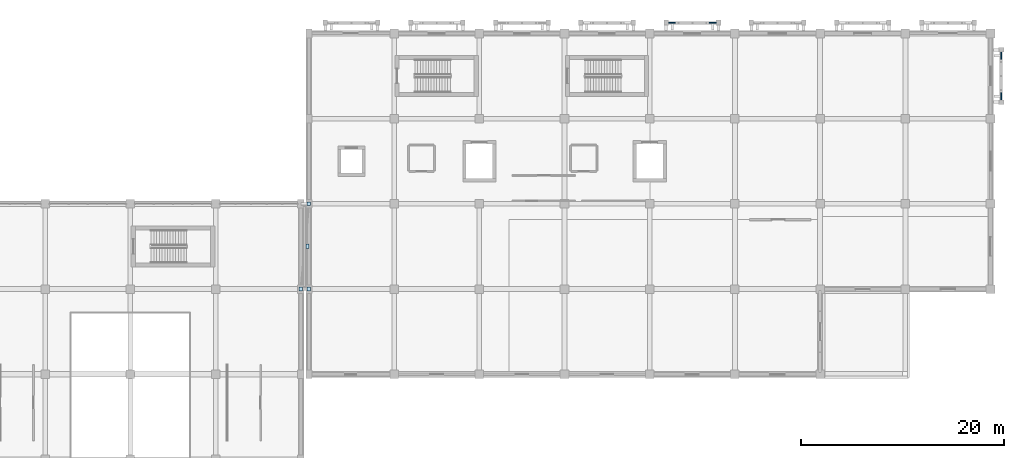
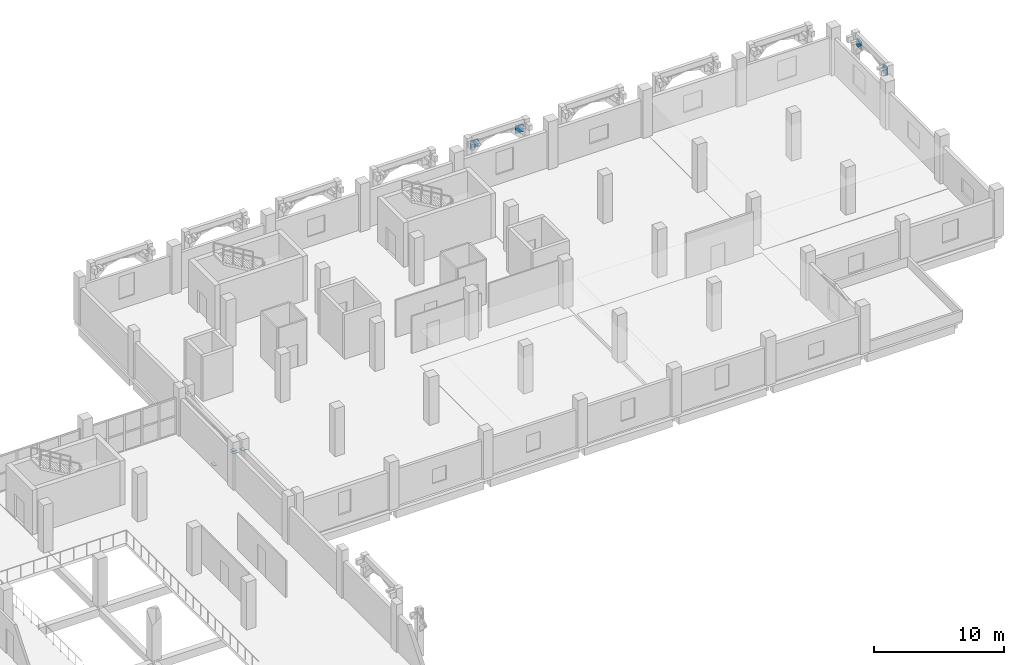
# One storey, part 111 of 137: 9 plates.
"""IFC4 building model written with IfcOpenShell, lengths in metres."""

from ifc_helpers import new_model, si_unit, direction, frame, origin, origin_2d, place, context, subcontext, project, spatial, rectangle, extrude, material, layer, layer_set, type_object, element, save


model = new_model("IFC4")

# Units and contexts
model_context = context("Model", 3, precision=1e-05, world=origin(), true_north=direction((0.0, 1.0)))
body_context = subcontext(model_context, "Body", "Model", "MODEL_VIEW")
ifc_project = project(units=[si_unit("LENGTHUNIT", "METRE"), si_unit("AREAUNIT", "SQUARE_METRE"), si_unit("VOLUMEUNIT", "CUBIC_METRE"), si_unit("PLANEANGLEUNIT", "RADIAN"), si_unit("MASSUNIT", "GRAM", prefix="KILO")], contexts=[model_context])

# Site, building, storey
site_placement = place(None, origin())
site = spatial("IfcSite", under=ifc_project, at=site_placement, CompositionType="ELEMENT")
building_placement = place(site_placement, origin())
building = spatial("IfcBuilding", under=site, at=building_placement, Name="Xazarin Passage Department Store", CompositionType="ELEMENT")
storey_placement = place(building_placement, frame((0.0, 0.0, 5.39990234375)))
storey = spatial("IfcBuildingStorey", under=building, at=storey_placement, Name="L01", CompositionType="ELEMENT", Elevation=5.39990234375)

# Plates
ifc_material_1 = material(Name="Precast concrete C40/50", Category="concrete")
ifc_layer_1 = layer(ifc_material_1, 0.10009765625)
ifc_layer_set_1 = layer_set([ifc_layer_1], Name="Precast concrete C40/50")
plate_type_1 = type_object("IfcPlateType", Name="ARC-PLT-SCR-03", PredefinedType="USERDEFINED", material=ifc_layer_set_1)
for number, where, z_axis, x_axis, name in (
    (1, (138.199951171875, 111.050048828125, 3.26025390625), (0.0, 0.0, 1.0), (1.0, 0.0, 0.0), "L01 V4 Arch Spandrel Tympanum 0323"),
    (2, (142.199951171875, 111.050048828125, 3.26025390625), (0.0, 0.0, 1.0), (1.0, 0.0, 0.0), "L01 V4 Arch Spandrel Tympanum 0324"),
):
    element("IfcPlate", number, at=place(storey_placement, frame(where, z_axis=z_axis, x_axis=x_axis)), inside=storey, type_object=plate_type_1, Name=name, ObjectType="SCREEN PANEL", PredefinedType="USERDEFINED", context=body_context, shape_type="SweptSolid", body=[
        extrude(rectangle(XDim=0.679931640625, YDim=0.10009765625, at=origin_2d()), origin(), (0.0, 0.0, 1.0), 0.719970703125),
    ])
ifc_layer_2 = layer(ifc_material_1, 0.1201171875)
ifc_layer_set_2 = layer_set([ifc_layer_2], Name="Precast concrete C40/50")
plate_type_2 = type_object("IfcPlateType", Name="ARC-PLT-SCR-05", PredefinedType="USERDEFINED", material=ifc_layer_set_2)
for number, where, z_axis, x_axis, name in (
    (3, (170.64990234375, 103.800048828125, 3.26025390625), (0.0, 0.0, 1.0), (0.0, 1.0, 0.0), "L01 V4 Arch Spandrel Tympanum 0345"),
    (4, (170.64990234375, 107.800048828125, 3.26025390625), (0.0, 0.0, 1.0), (0.0, 1.0, 0.0), "L01 V4 Arch Spandrel Tympanum 0346"),
):
    element("IfcPlate", number, at=place(storey_placement, frame(where, z_axis=z_axis, x_axis=x_axis)), inside=storey, type_object=plate_type_2, Name=name, ObjectType="SCREEN PANEL", PredefinedType="USERDEFINED", context=body_context, shape_type="SweptSolid", body=[
        extrude(rectangle(XDim=0.679931640625, YDim=0.1201171875, at=origin_2d()), origin(), (0.0, 0.0, 1.0), 0.719970703125),
    ])
ifc_material_2 = material(Name="Steel S355", Category="steel")
ifc_layer_3 = layer(ifc_material_2, 0.030029296875)
ifc_layer_set_3 = layer_set([ifc_layer_3], Name="Steel S355")
plate_type_3 = type_object("IfcPlateType", Name="STR-PLT-BRG30", PredefinedType="USERDEFINED", material=ifc_layer_set_3)
plate_placement = place(storey_placement, frame((102.25, 89.0, -0.669921875), z_axis=(0.0, 0.0, 1.0), x_axis=(1.0, 0.0, 0.0)))
element("IfcPlate", 5, at=plate_placement, inside=storey, type_object=plate_type_3, Name="L01 BR-V2N-V4 PTFE Sliding Bearing Plate", ObjectType="BASE PLATE", PredefinedType="USERDEFINED", context=body_context, shape_type="SweptSolid", body=[
    extrude(rectangle(XDim=0.280029296875, YDim=0.449951171875, at=origin_2d()), origin(), (0.0, 0.0, 1.0), 0.030029296875),
])
ifc_layer_4 = layer(ifc_material_2, 0.02001953125)
ifc_layer_set_4 = layer_set([ifc_layer_4], Name="Steel S355")
plate_type_4 = type_object("IfcPlateType", Name="STR-PLT-CAP20", PredefinedType="USERDEFINED", material=ifc_layer_set_4)
for number, where, z_axis, x_axis, name in (
    (6, (101.60009765625, 84.800048828125, 3.23193359375), (0.0, 0.0, 1.0), (1.0, 0.0, 0.0), "L01 BR-V2N-V4 Bridge Member End Cap 1"),
    (7, (102.39990234375, 84.800048828125, 3.23193359375), (0.0, 0.0, 1.0), (1.0, 0.0, 0.0), "L01 BR-V2N-V4 Bridge Member End Cap 2"),
    (8, (101.60009765625, 84.800048828125, 3.45703125), (0.0, 0.0, 1.0), (1.0, 0.0, 0.0), "L01 BR-V2N-V4 Bridge Member End Cap 3"),
    (9, (102.39990234375, 93.199951171875, 3.45703125), (0.0, 0.0, 1.0), (1.0, 0.0, 0.0), "L01 BR-V2N-V4 Bridge Member End Cap 4"),
):
    element("IfcPlate", number, at=place(storey_placement, frame(where, z_axis=z_axis, x_axis=x_axis)), inside=storey, type_object=plate_type_4, Name=name, ObjectType="GUSSET PLATE", PredefinedType="USERDEFINED", context=body_context, shape_type="SweptSolid", body=[
        extrude(rectangle(XDim=0.360107421875, YDim=0.360107421875, at=origin_2d()), origin(), (0.0, 0.0, 1.0), 0.035888671875),
    ])

save(model, "model.ifc")
